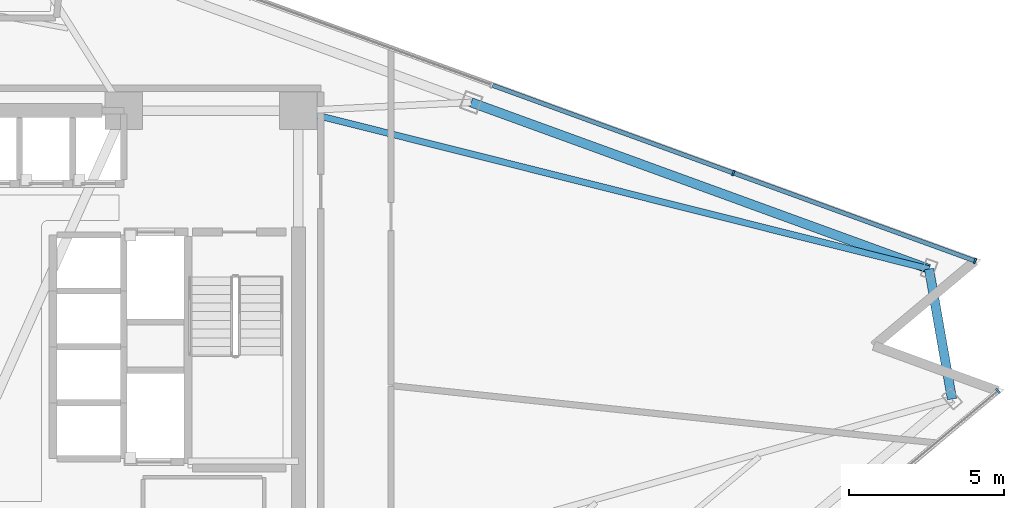
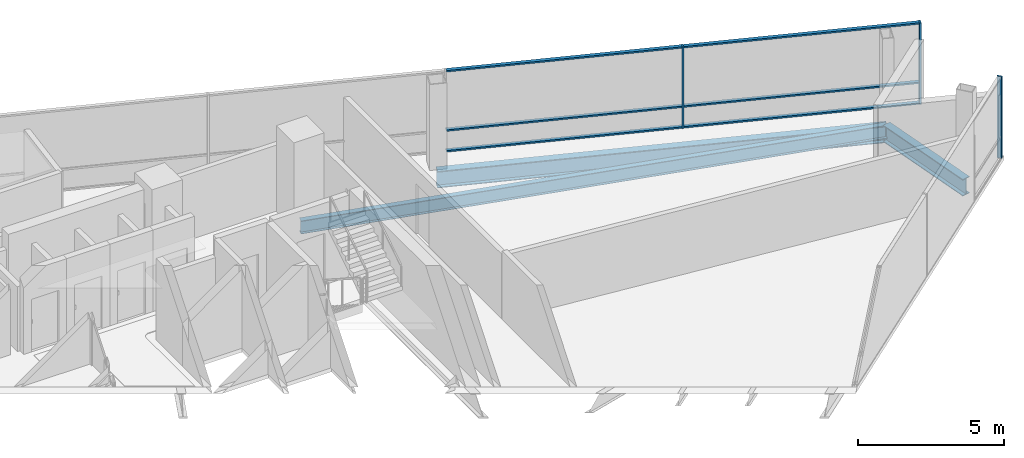
# One storey, part 8 of 17: 9 members, 3 beams, 2 elements without a shape of their own.
"""IFC4 building model written with IfcOpenShell, lengths in metres."""

from ifc_helpers import new_model, si_unit, direction, frame, origin, origin_2d, place, context, subcontext, project, spatial, rectangle, i_section, extrude, material, layer, layer_set, material_profile, profile_set, type_object, element, aggregate, save


model = new_model("IFC4")

# Units and contexts
model_context = context("Model", 3, precision=1e-05, world=origin(), true_north=direction((0.0, 1.0)))
body_context = subcontext(model_context, "Body", "Model", "MODEL_VIEW")
ifc_project = project(units=[si_unit("LENGTHUNIT", "METRE"), si_unit("AREAUNIT", "SQUARE_METRE"), si_unit("VOLUMEUNIT", "CUBIC_METRE"), si_unit("PLANEANGLEUNIT", "RADIAN"), si_unit("MASSUNIT", "GRAM", prefix="KILO")], contexts=[model_context])

# Site, building, storey
site_placement = place(None, origin())
site = spatial("IfcSite", under=ifc_project, at=site_placement, CompositionType="ELEMENT")
building_placement = place(site_placement, origin())
building = spatial("IfcBuilding", under=site, at=building_placement, Name="Tharavind Bronze Gate", CompositionType="ELEMENT")
storey_placement = place(building_placement, frame((0.0, 0.0, 184.89990234375)))
storey = spatial("IfcBuildingStorey", under=building, at=storey_placement, Name="L47", CompositionType="ELEMENT", Elevation=184.89990234375)

# Curtain wall, member
ifc_material_1 = material(Name="Anodised Bronze Aluminium", Category="aluminium")
ifc_layer = layer(ifc_material_1, 0.219970703125)
ifc_layer_set = layer_set([ifc_layer], Name="Anodised Bronze Aluminium")
curtain_wall_type = type_object("IfcCurtainWallType", Name="UNITISED CURTAIN WALL MID OFFICE", PredefinedType="USERDEFINED", material=ifc_layer_set)
curtain_wall_1_placement = place(storey_placement, origin())
curtain_wall_1 = element("IfcCurtainWall", 1, at=curtain_wall_1_placement, inside=storey, type_object=curtain_wall_type, Name="L47 unitised curtain wall mid office CW-L47-S2", ObjectType="UNITISED CURTAIN WALL", PredefinedType="USERDEFINED")
member_type_1 = type_object("IfcMemberType", Name="CURTAIN WALL BRONZE MULLION 65X180", PredefinedType="MULLION", material=ifc_material_1)
member_1_placement = place(storey_placement, frame((31.410888671875, -1.418212890625, 0.000244140625), z_axis=(0.0, 0.0, 1.0), x_axis=(0.766043321242, 0.642788946685, 0.0)))
member_1 = element("IfcMember", 2, at=member_1_placement, type_object=member_type_1, Name="CW-L47-S2 mullion 8", PredefinedType="MULLION", context=body_context, shape_type="SweptSolid", body=[
    extrude(rectangle(XDim=0.06494140625, YDim=0.179931640625, at=origin_2d()), origin(), (0.0, 0.0, 1.0), 3.419921875),
])
aggregate(curtain_wall_1, [member_1])

# Curtain wall, members
curtain_wall_2_placement = place(storey_placement, origin())
curtain_wall_2 = element("IfcCurtainWall", 3, at=curtain_wall_2_placement, inside=storey, type_object=curtain_wall_type, Name="L47 unitised curtain wall mid office CW-L47-S3", ObjectType="UNITISED CURTAIN WALL", PredefinedType="USERDEFINED")
member_2_placement = place(storey_placement, frame((30.67333984375, 2.765380859375, 0.000244140625), z_axis=(0.0, 0.0, 1.0), x_axis=(-0.939692023847, 0.342021783398, 0.0)))
member_2 = element("IfcMember", 4, at=member_2_placement, type_object=member_type_1, Name="CW-L47-S3 mullion 1", PredefinedType="MULLION", context=body_context, shape_type="SweptSolid", body=[
    extrude(rectangle(XDim=0.06494140625, YDim=0.179931640625, at=origin_2d()), origin(), (0.0, 0.0, 1.0), 3.419921875),
])
member_3_placement = place(storey_placement, frame((22.89892578125, 5.594970703125, 0.000244140625), z_axis=(0.0, 0.0, 1.0), x_axis=(-0.939692023847, 0.342021783398, 0.0)))
member_3 = element("IfcMember", 5, at=member_3_placement, type_object=member_type_1, Name="CW-L47-S3 mullion 2", PredefinedType="MULLION", context=body_context, shape_type="SweptSolid", body=[
    extrude(rectangle(XDim=0.06494140625, YDim=0.179931640625, at=origin_2d()), origin(), (0.0, 0.0, 1.0), 3.419921875),
])
member_type_2 = type_object("IfcMemberType", Name="CURTAIN WALL BRONZE TRANSOM 65X140", PredefinedType="USERDEFINED", material=ifc_material_1)
member_4_placement = place(storey_placement, frame((26.7861328125, 4.18017578125, 0.000244140625), z_axis=(0.0, 0.0, 1.0), x_axis=(-0.939692023847, 0.342021783398, 0.0)))
member_4 = element("IfcMember", 6, at=member_4_placement, type_object=member_type_2, Name="CW-L47-S3 transom TB1", ObjectType="TRANSOM", PredefinedType="USERDEFINED", context=body_context, shape_type="SweptSolid", body=[
    extrude(rectangle(XDim=8.220458984375, YDim=0.139892578125, at=origin_2d()), origin(), (0.0, 0.0, 1.0), 0.06494140625),
])
member_5_placement = place(storey_placement, frame((26.7861328125, 4.18017578125, 0.86767578125), z_axis=(0.0, 0.0, 1.0), x_axis=(-0.939692023847, 0.342021783398, 0.0)))
member_5 = element("IfcMember", 7, at=member_5_placement, type_object=member_type_2, Name="CW-L47-S3 transom TS1", ObjectType="TRANSOM", PredefinedType="USERDEFINED", context=body_context, shape_type="SweptSolid", body=[
    extrude(rectangle(XDim=8.220458984375, YDim=0.139892578125, at=origin_2d()), origin(), (0.0, 0.0, 1.0), 0.06494140625),
])
member_6_placement = place(storey_placement, frame((26.7861328125, 4.18017578125, 3.355224609375), z_axis=(0.0, 0.0, 1.0), x_axis=(-0.939692023847, 0.342021783398, 0.0)))
member_6 = element("IfcMember", 8, at=member_6_placement, type_object=member_type_2, Name="CW-L47-S3 transom TT1", ObjectType="TRANSOM", PredefinedType="USERDEFINED", context=body_context, shape_type="SweptSolid", body=[
    extrude(rectangle(XDim=8.220458984375, YDim=0.139892578125, at=origin_2d()), origin(), (0.0, 0.0, 1.0), 0.06494140625),
])
member_7_placement = place(storey_placement, frame((19.01171875, 7.009765625, 0.000244140625), z_axis=(0.0, 0.0, 1.0), x_axis=(-0.939692023847, 0.342021783398, 0.0)))
member_7 = element("IfcMember", 9, at=member_7_placement, type_object=member_type_2, Name="CW-L47-S3 transom TB2", ObjectType="TRANSOM", PredefinedType="USERDEFINED", context=body_context, shape_type="SweptSolid", body=[
    extrude(rectangle(XDim=8.220458984375, YDim=0.139892578125, at=origin_2d()), origin(), (0.0, 0.0, 1.0), 0.06494140625),
])
member_8_placement = place(storey_placement, frame((19.01171875, 7.009765625, 0.86767578125), z_axis=(0.0, 0.0, 1.0), x_axis=(-0.939692023847, 0.342021783398, 0.0)))
member_8 = element("IfcMember", 10, at=member_8_placement, type_object=member_type_2, Name="CW-L47-S3 transom TS2", ObjectType="TRANSOM", PredefinedType="USERDEFINED", context=body_context, shape_type="SweptSolid", body=[
    extrude(rectangle(XDim=8.220458984375, YDim=0.139892578125, at=origin_2d()), origin(), (0.0, 0.0, 1.0), 0.06494140625),
])
member_9_placement = place(storey_placement, frame((19.01171875, 7.009765625, 3.355224609375), z_axis=(0.0, 0.0, 1.0), x_axis=(-0.939692023847, 0.342021783398, 0.0)))
member_9 = element("IfcMember", 11, at=member_9_placement, type_object=member_type_2, Name="CW-L47-S3 transom TT2", ObjectType="TRANSOM", PredefinedType="USERDEFINED", context=body_context, shape_type="SweptSolid", body=[
    extrude(rectangle(XDim=8.220458984375, YDim=0.139892578125, at=origin_2d()), origin(), (0.0, 0.0, 1.0), 0.06494140625),
])
aggregate(curtain_wall_2, [member_2, member_3, member_4, member_5, member_6, member_7, member_8, member_9])

# Beams
ifc_material_2 = material(Name="Steel S355", Category="steel")
ifc_material_profile_1 = material_profile(ifc_material_2, i_section(OverallWidth=0.2099609375, OverallDepth=0.550048828125, WebThickness=0.010986328125, FlangeThickness=0.01708984375, at=origin_2d()), Name="IPE550")
ifc_profile_set_1 = profile_set([ifc_material_profile_1], Name="Steel S355")
beam_type_1 = type_object("IfcBeamType", Name="PRIMARY GIRDER IPE550", PredefinedType="USERDEFINED", material=ifc_profile_set_1)
beam_1_placement = place(storey_placement, frame((29.1962890625, 2.5048828125, -0.454833984375), z_axis=(-0.969904582273, 0.243485320471, 0.0), x_axis=(-0.243485320471, -0.969904582273, 0.0)))
element("IfcBeam", 12, at=beam_1_placement, inside=storey, type_object=beam_type_1, Name="L47 primary girder ipe550 BM-L47-RAD09", ObjectType="GIRDER", PredefinedType="USERDEFINED", context=body_context, shape_type="SweptSolid", body=[
    extrude(i_section(OverallWidth=0.2099609375, OverallDepth=0.550048828125, WebThickness=0.010986328125, FlangeThickness=0.01708984375, at=origin_2d()), origin(), (0.0, 0.0, 1.0), 20.92626953125),
])
ifc_material_profile_2 = material_profile(ifc_material_2, i_section(OverallWidth=0.300048828125, OverallDepth=0.699951171875, WebThickness=0.01708984375, FlangeThickness=0.031982421875, at=origin_2d()), Name="HE700B")
ifc_profile_set_2 = profile_set([ifc_material_profile_2], Name="Steel S355")
beam_type_2 = type_object("IfcBeamType", Name="RING GIRDER HE700B", PredefinedType="USERDEFINED", material=ifc_profile_set_2)
beam_2_placement = place(storey_placement, frame((29.933837890625, -1.6787109375, -0.52978515625), z_axis=(-0.173618127207, 0.984813051246, 0.0), x_axis=(-0.984813051246, -0.173618127207, 0.0)))
element("IfcBeam", 13, at=beam_2_placement, inside=storey, type_object=beam_type_2, Name="L47 ring girder he700b BM-L47-PRG08", ObjectType="GIRDER", PredefinedType="USERDEFINED", context=body_context, shape_type="SweptSolid", body=[
    extrude(i_section(OverallWidth=0.300048828125, OverallDepth=0.699951171875, WebThickness=0.01708984375, FlangeThickness=0.031982421875, at=origin_2d()), origin(), (0.0, 0.0, 1.0), 4.248046875),
])
beam_3_placement = place(storey_placement, frame((29.1962890625, 2.5048828125, -0.52978515625), z_axis=(-0.939694739877, 0.342014321115, 0.0), x_axis=(-0.342014321115, -0.939694739877, 0.0)))
element("IfcBeam", 14, at=beam_3_placement, inside=storey, type_object=beam_type_2, Name="L47 ring girder he700b BM-L47-PRG09", ObjectType="GIRDER", PredefinedType="USERDEFINED", context=body_context, shape_type="SweptSolid", body=[
    extrude(i_section(OverallWidth=0.300048828125, OverallDepth=0.699951171875, WebThickness=0.01708984375, FlangeThickness=0.031982421875, at=origin_2d()), origin(), (0.0, 0.0, 1.0), 15.6806640625),
])

save(model, "model.ifc")
